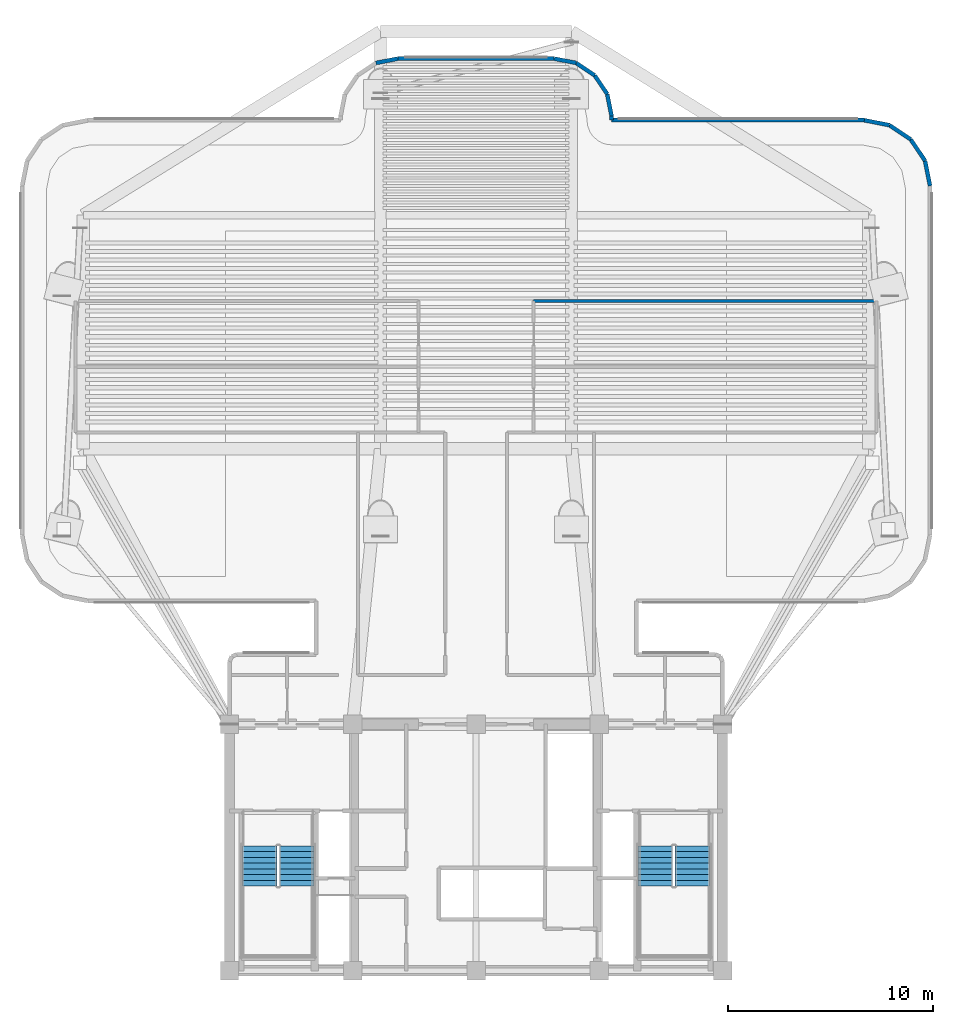
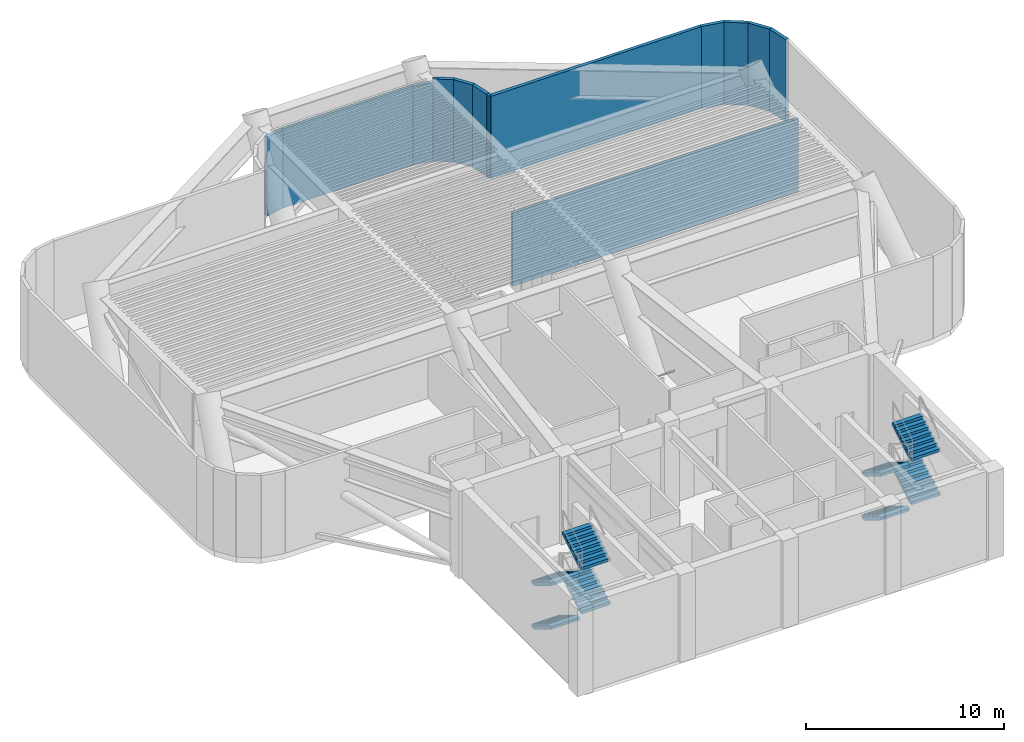
# One storey, part 6 of 10: 13 walls, 8 stair flights, 2 elements without a shape of their own.
"""IFC4 building model written with IfcOpenShell, lengths in metres."""

from ifc_helpers import new_model, si_unit, direction, frame, frame_2d, origin, place, context, subcontext, project, spatial, polyline, rectangle, outline, extrude, material, layer, layer_set, type_object, element, aggregate, save


model = new_model("IFC4")

# Units and contexts
model_context = context("Model", 3, precision=1e-05, world=origin(), true_north=direction((0.0, 1.0)))
body_context = subcontext(model_context, "Body", "Model", "MODEL_VIEW")
ifc_project = project(units=[si_unit("LENGTHUNIT", "METRE"), si_unit("AREAUNIT", "SQUARE_METRE"), si_unit("VOLUMEUNIT", "CUBIC_METRE"), si_unit("PLANEANGLEUNIT", "RADIAN"), si_unit("MASSUNIT", "GRAM", prefix="KILO")], contexts=[model_context])

# Site, building, storey
site_placement = place(None, origin())
site = spatial("IfcSite", under=ifc_project, at=site_placement, CompositionType="ELEMENT")
building_placement = place(site_placement, origin())
building = spatial("IfcBuilding", under=site, at=building_placement, Name="Brelvock Crest Care Tower", CompositionType="ELEMENT")
storey_placement = place(building_placement, frame((0.0, 0.0, 146.52001953125)))
storey = spatial("IfcBuildingStorey", under=building, at=storey_placement, Name="L37", CompositionType="ELEMENT", Elevation=146.52001953125)

# Walls
ifc_material_1 = material(Name="Precast concrete N40 (40 MPa)", Category="concrete")
ifc_layer_1 = layer(ifc_material_1, 0.195068359375, Name="WL-EX3")
ifc_layer_set_1 = layer_set([ifc_layer_1], Name="Precast concrete N40 (40 MPa)")
wall_type_1 = type_object("IfcWallType", Name="WL-EX3", PredefinedType="SOLIDWALL", material=ifc_layer_set_1)
wall_1_placement = place(storey_placement, frame((31.12841796875, 50.18701171875, 0.0), z_axis=(0.0, 0.0, 1.0), x_axis=(0.980829143587, 0.194869677195, 0.0)))
element("IfcWall", 1, at=wall_1_placement, inside=storey, type_object=wall_type_1, Name="L37 Crown and Plant Cladding Wall 27", PredefinedType="SOLIDWALL", context=body_context, shape_type="SweptSolid", body=[
    extrude(rectangle(XDim=1.092529296875, YDim=0.195068359375, at=frame_2d((0.54638671875, 0.0))), origin(), (0.0, 0.0, 1.0), 4.861083984375),
])
wall_2_placement = place(storey_placement, frame((32.199951171875, 50.39990234375, 0.0), z_axis=(0.0, 0.0, 1.0), x_axis=(1.0, 0.0, 0.0)))
element("IfcWall", 2, at=wall_2_placement, inside=storey, type_object=wall_type_1, Name="L37 Crown and Plant Cladding Wall 28", PredefinedType="SOLIDWALL", context=body_context, shape_type="SweptSolid", body=[
    extrude(rectangle(XDim=7.60009765625, YDim=0.195068359375, at=frame_2d((3.800048828125, 0.0))), origin(), (0.0, 0.0, 1.0), 4.861083984375),
])
wall_3_placement = place(storey_placement, frame((39.800048828125, 50.39990234375, 0.0), z_axis=(0.0, 0.0, 1.0), x_axis=(0.980829143587, -0.194869677195, 0.0)))
element("IfcWall", 3, at=wall_3_placement, inside=storey, type_object=wall_type_1, Name="L37 Crown and Plant Cladding Wall 29", PredefinedType="SOLIDWALL", context=body_context, shape_type="SweptSolid", body=[
    extrude(rectangle(XDim=1.092529296875, YDim=0.195068359375, at=frame_2d((0.54638671875, 0.0))), origin(), (0.0, 0.0, 1.0), 4.861083984375),
])
wall_4_placement = place(storey_placement, frame((40.87158203125, 50.18701171875, 0.0), z_axis=(0.0, 0.0, 1.0), x_axis=(0.831327592857, -0.555782721353, 0.0)))
element("IfcWall", 4, at=wall_4_placement, inside=storey, type_object=wall_type_1, Name="L37 Crown and Plant Cladding Wall 30", PredefinedType="SOLIDWALL", context=body_context, shape_type="SweptSolid", body=[
    extrude(rectangle(XDim=1.092529296875, YDim=0.195068359375, at=frame_2d((0.54638671875, 0.0))), origin(), (0.0, 0.0, 1.0), 5.080078125),
])
wall_5_placement = place(storey_placement, frame((41.77978515625, 49.579833984375, 0.0), z_axis=(0.0, 0.0, 1.0), x_axis=(0.555679482341, -0.831396603857, 0.0)))
element("IfcWall", 5, at=wall_5_placement, inside=storey, type_object=wall_type_1, Name="L37 Crown and Plant Cladding Wall 31", PredefinedType="SOLIDWALL", context=body_context, shape_type="SweptSolid", body=[
    extrude(rectangle(XDim=1.0927734375, YDim=0.195068359375, at=frame_2d((0.54638671875, 0.0))), origin(), (0.0, 0.0, 1.0), 5.080078125),
])
wall_6_placement = place(storey_placement, frame((42.386962890625, 48.67138671875, 0.0), z_axis=(0.0, 0.0, 1.0), x_axis=(0.195127417394, -0.980777900945, 0.0)))
element("IfcWall", 6, at=wall_6_placement, inside=storey, type_object=wall_type_1, Name="L37 Crown and Plant Cladding Wall 32", PredefinedType="SOLIDWALL", context=body_context, shape_type="SweptSolid", body=[
    extrude(rectangle(XDim=1.09228515625, YDim=0.195068359375, at=frame_2d((0.546142578125, 0.0))), origin(), (0.0, 0.0, 1.0), 5.080078125),
])
wall_7_placement = place(storey_placement, frame((42.60009765625, 47.60009765625, 0.0), z_axis=(0.0, 0.0, 1.0), x_axis=(0.0, -1.0, 0.0)))
element("IfcWall", 7, at=wall_7_placement, inside=storey, type_object=wall_type_1, Name="L37 Crown and Plant Cladding Wall 33", PredefinedType="SOLIDWALL", context=body_context, shape_type="SweptSolid", body=[
    extrude(rectangle(XDim=0.2001953125, YDim=0.195068359375, at=frame_2d((0.10009765625, 0.0))), origin(), (0.0, 0.0, 1.0), 5.080078125),
])
wall_8_placement = place(storey_placement, frame((42.60009765625, 47.39990234375, 0.0), z_axis=(0.0, 0.0, 1.0), x_axis=(1.0, 0.0, 0.0)))
element("IfcWall", 8, at=wall_8_placement, inside=storey, type_object=wall_type_1, Name="L37 Crown and Plant Cladding Wall 34", PredefinedType="SOLIDWALL", context=body_context, shape_type="SweptSolid", body=[
    extrude(rectangle(XDim=12.2998046875, YDim=0.195068359375, at=frame_2d((6.14990234375, 0.0))), origin(), (0.0, 0.0, 1.0), 5.080078125),
])
for number, where, z_axis, x_axis, name in (
    (9, (54.89990234375, 47.39990234375, 0.0), (0.0, 0.0, 1.0), (0.980813122964, -0.194950295773, 0.0), "L37 Crown and Plant Cladding Wall 35"),
    (10, (56.12451171875, 47.156494140625, 0.0), (0.0, 0.0, 1.0), (0.831387912822, -0.555692485475, 0.0), "L37 Crown and Plant Cladding Wall 36"),
    (11, (57.16259765625, 46.462646484375, 0.0), (0.0, 0.0, 1.0), (0.555692485475, -0.831387912822, 0.0), "L37 Crown and Plant Cladding Wall 37"),
    (12, (57.8564453125, 45.424560546875, 0.0), (0.0, 0.0, 1.0), (0.195138390419, -0.980775717779, 0.0), "L37 Crown and Plant Cladding Wall 38"),
):
    element("IfcWall", number, at=place(storey_placement, frame(where, z_axis=z_axis, x_axis=x_axis)), inside=storey, type_object=wall_type_1, Name=name, PredefinedType="SOLIDWALL", context=body_context, shape_type="SweptSolid", body=[
        extrude(rectangle(XDim=1.24853515625, YDim=0.195068359375, at=frame_2d((0.624267578125, 0.0))), origin(), (0.0, 0.0, 1.0), 5.080078125),
    ])
ifc_material_2 = material(Name="Masonry Blockwork Acoustic Partition", Category="masonry")
ifc_layer_2 = layer(ifc_material_2, 0.14990234375, Name="WL-INT1")
ifc_layer_set_2 = layer_set([ifc_layer_2], Name="Masonry Blockwork Acoustic Partition")
wall_type_2 = type_object("IfcWallType", Name="WL-INT1", PredefinedType="PARTITIONING", material=ifc_layer_set_2)
wall_9_placement = place(storey_placement, frame((38.800048828125, 38.60009765625, 0.0), z_axis=(0.0, 0.0, 1.0), x_axis=(1.0, 0.0, 0.0)))
element("IfcWall", 13, at=wall_9_placement, inside=storey, type_object=wall_type_2, Name="L37 Interior Wall WL-BX-L37-SWGE-N", PredefinedType="PARTITIONING", context=body_context, shape_type="SweptSolid", body=[
    extrude(rectangle(XDim=16.699951171875, YDim=0.14990234375, at=frame_2d((8.35009765625, 0.0))), origin(), (0.0, 0.0, 1.0), 4.531982421875),
])

# Stair, stair flights
ifc_material_3 = material(Name="Concrete N40 (40 MPa)", Category="concrete")
stair_type = type_object("IfcStairType", Name="ST-CORE1", PredefinedType="HALF_TURN_STAIR", material=ifc_material_3)
stair_1_placement = place(storey_placement, origin())
stair_1 = element("IfcStair", 14, at=stair_1_placement, inside=storey, type_object=stair_type, Name="L37 Fire-Isolated Core Stair ST-1", PredefinedType="HALF_TURN_STAIR")
stair_flight_type = type_object("IfcStairFlightType", Name="STF-1", PredefinedType="STRAIGHT", material=ifc_material_3)
stair_flight_1_placement = place(storey_placement, frame((25.469970703125, 12.080078125, 0.0), z_axis=(0.0, 0.0, 1.0), x_axis=(0.0, -1.0, 0.0)))
stair_flight_1 = element("IfcStairFlight", 15, at=stair_flight_1_placement, type_object=stair_flight_type, Name="ST-1 flight 1", NumberOfRisers=8, NumberOfTreads=7, PredefinedType="STRAIGHT", RiserHeight=0.16875, TreadLength=0.28, context=body_context, shape_type="SweptSolid", body=[
    extrude(outline(polyline([(-0.00390625, -0.014892578125), (-0.00390625, -0.008544921875), (-0.00390625, -0.001953125), (-0.00390625, 0.004638671875), (-0.00390625, 0.01123046875), (-0.00390625, 0.017822265625), (-0.00390625, 0.0244140625), (-0.00390625, 0.031005859375), (-0.00390625, 0.03759765625), (-0.00390625, 0.0439453125), (-0.00390625, 0.050537109375), (-0.00390625, 0.05712890625), (-0.00390625, 0.063720703125), (-0.00390625, 0.0703125), (-0.00390625, 0.076904296875), (-0.00390625, 0.08349609375), (-0.00390625, 0.090087890625), (-0.00390625, 0.0966796875), (-0.00390625, 0.10302734375), (-0.00390625, 0.109619140625), (-0.00390625, 0.1162109375), (-0.00390625, 0.122802734375), (-0.00390625, 0.12939453125), (-0.00390625, 0.135986328125), (-0.00390625, 0.142578125), (-0.00390625, 0.149169921875), (-0.00390625, 0.155517578125), (-0.00390625, 0.162109375), (-0.00390625, 0.168701171875), (0.0, 0.168701171875), (0.280029296875, 0.168701171875), (0.280029296875, 0.33740234375), (0.56005859375, 0.33740234375), (0.56005859375, 0.50634765625), (0.840087890625, 0.50634765625), (0.840087890625, 0.675048828125), (1.1201171875, 0.675048828125), (1.1201171875, 0.84375), (1.39990234375, 0.84375), (1.39990234375, 1.012451171875), (1.679931640625, 1.012451171875), (1.679931640625, 1.18115234375), (1.9599609375, 1.18115234375), (1.964111328125, 1.18115234375), (1.9638671875, 1.18017578125), (1.964111328125, 1.17919921875), (1.9638671875, 1.17822265625), (1.964111328125, 1.177001953125), (1.9638671875, 1.176025390625), (1.964111328125, 1.175048828125), (1.9638671875, 1.173828125), (1.964111328125, 1.1728515625), (1.9638671875, 1.171875), (1.964111328125, 1.1708984375), (1.9638671875, 1.169677734375), (1.964111328125, 1.168701171875), (1.9638671875, 1.167724609375), (1.964111328125, 1.166748046875), (1.9638671875, 1.16552734375), (1.964111328125, 1.16455078125), (1.9638671875, 1.16357421875), (1.964111328125, 1.162353515625), (1.9638671875, 1.161376953125), (1.964111328125, 1.160400390625), (1.9638671875, 1.159423828125), (1.964111328125, 1.158203125), (1.9638671875, 1.1572265625), (1.964111328125, 1.15625), (1.9638671875, 1.155029296875), (1.964111328125, 1.154052734375), (1.9638671875, 1.153076171875), (1.964111328125, 1.152099609375), (1.9599609375, 1.00634765625), (0.29052734375, 0.0), (0.0, 0.0), (0.0, -0.014892578125), (-0.00390625, -0.014892578125)])), frame((0.0, 0.83984375, 0.0), z_axis=(0.0, -1.0, 0.0), x_axis=(1.0, 0.0, 0.0)), (0.0, 0.0, 1.0), 1.679931640625),
])
stair_flight_2_placement = place(storey_placement, frame((27.27001953125, 10.1201171875, 1.35009765625), z_axis=(0.0, 0.0, 1.0), x_axis=(0.0, 1.0, 0.0)))
stair_flight_2 = element("IfcStairFlight", 16, at=stair_flight_2_placement, type_object=stair_flight_type, Name="ST-1 flight 2", NumberOfRisers=8, NumberOfTreads=7, PredefinedType="STRAIGHT", RiserHeight=0.16875, TreadLength=0.28, context=body_context, shape_type="SweptSolid", body=[
    extrude(outline(polyline([(-0.00390625, -0.014892578125), (-0.00390625, -0.008544921875), (-0.00390625, -0.001953125), (-0.00390625, 0.004638671875), (-0.00390625, 0.01123046875), (-0.00390625, 0.017822265625), (-0.00390625, 0.0244140625), (-0.00390625, 0.031005859375), (-0.00390625, 0.03759765625), (-0.00390625, 0.0439453125), (-0.00390625, 0.050537109375), (-0.00390625, 0.05712890625), (-0.00390625, 0.063720703125), (-0.00390625, 0.0703125), (-0.00390625, 0.076904296875), (-0.00390625, 0.08349609375), (-0.00390625, 0.090087890625), (-0.00390625, 0.0966796875), (-0.00390625, 0.10302734375), (-0.00390625, 0.109619140625), (-0.00390625, 0.1162109375), (-0.00390625, 0.122802734375), (-0.00390625, 0.12939453125), (-0.00390625, 0.135986328125), (-0.00390625, 0.142578125), (-0.00390625, 0.149169921875), (-0.00390625, 0.155517578125), (-0.00390625, 0.162109375), (-0.00390625, 0.168701171875), (0.0, 0.168701171875), (0.280029296875, 0.168701171875), (0.280029296875, 0.33740234375), (0.56005859375, 0.33740234375), (0.56005859375, 0.50634765625), (0.840087890625, 0.50634765625), (0.840087890625, 0.675048828125), (1.1201171875, 0.675048828125), (1.1201171875, 0.84375), (1.39990234375, 0.84375), (1.39990234375, 1.012451171875), (1.679931640625, 1.012451171875), (1.679931640625, 1.18115234375), (1.9599609375, 1.18115234375), (1.964111328125, 1.18115234375), (1.9638671875, 1.18017578125), (1.964111328125, 1.17919921875), (1.9638671875, 1.17822265625), (1.964111328125, 1.177001953125), (1.9638671875, 1.176025390625), (1.964111328125, 1.175048828125), (1.9638671875, 1.173828125), (1.964111328125, 1.1728515625), (1.9638671875, 1.171875), (1.964111328125, 1.1708984375), (1.9638671875, 1.169677734375), (1.964111328125, 1.168701171875), (1.9638671875, 1.167724609375), (1.964111328125, 1.166748046875), (1.9638671875, 1.16552734375), (1.964111328125, 1.16455078125), (1.9638671875, 1.16357421875), (1.964111328125, 1.162353515625), (1.9638671875, 1.161376953125), (1.964111328125, 1.160400390625), (1.9638671875, 1.159423828125), (1.964111328125, 1.158203125), (1.9638671875, 1.1572265625), (1.964111328125, 1.15625), (1.9638671875, 1.155029296875), (1.964111328125, 1.154052734375), (1.9638671875, 1.153076171875), (1.964111328125, 1.152099609375), (1.9599609375, 1.00634765625), (0.29052734375, 0.0), (0.0, 0.0), (0.0, -0.014892578125), (-0.00390625, -0.014892578125)])), frame((0.0, 0.83984375, 0.0), z_axis=(0.0, -1.0, 0.0), x_axis=(1.0, 0.0, 0.0)), (0.0, 0.0, 1.0), 1.679931640625),
])
stair_flight_3_placement = place(storey_placement, frame((25.469970703125, 12.080078125, 2.699951171875), z_axis=(0.0, 0.0, 1.0), x_axis=(0.0, -1.0, 0.0)))
stair_flight_3 = element("IfcStairFlight", 17, at=stair_flight_3_placement, type_object=stair_flight_type, Name="ST-1 flight 3", NumberOfRisers=8, NumberOfTreads=7, PredefinedType="STRAIGHT", RiserHeight=0.16875, TreadLength=0.28, context=body_context, shape_type="SweptSolid", body=[
    extrude(outline(polyline([(-0.00390625, -0.014892578125), (-0.00390625, -0.008544921875), (-0.00390625, -0.001953125), (-0.00390625, 0.004638671875), (-0.00390625, 0.01123046875), (-0.00390625, 0.017822265625), (-0.00390625, 0.0244140625), (-0.00390625, 0.031005859375), (-0.00390625, 0.03759765625), (-0.00390625, 0.0439453125), (-0.00390625, 0.050537109375), (-0.00390625, 0.05712890625), (-0.00390625, 0.063720703125), (-0.00390625, 0.0703125), (-0.00390625, 0.076904296875), (-0.00390625, 0.08349609375), (-0.00390625, 0.090087890625), (-0.00390625, 0.0966796875), (-0.00390625, 0.10302734375), (-0.00390625, 0.109619140625), (-0.00390625, 0.1162109375), (-0.00390625, 0.122802734375), (-0.00390625, 0.12939453125), (-0.00390625, 0.135986328125), (-0.00390625, 0.142578125), (-0.00390625, 0.149169921875), (-0.00390625, 0.155517578125), (-0.00390625, 0.162109375), (-0.00390625, 0.168701171875), (0.0, 0.168701171875), (0.280029296875, 0.168701171875), (0.280029296875, 0.33740234375), (0.56005859375, 0.33740234375), (0.56005859375, 0.50634765625), (0.840087890625, 0.50634765625), (0.840087890625, 0.675048828125), (1.1201171875, 0.675048828125), (1.1201171875, 0.84375), (1.39990234375, 0.84375), (1.39990234375, 1.012451171875), (1.679931640625, 1.012451171875), (1.679931640625, 1.18115234375), (1.9599609375, 1.18115234375), (1.964111328125, 1.18115234375), (1.9638671875, 1.18017578125), (1.964111328125, 1.17919921875), (1.9638671875, 1.17822265625), (1.964111328125, 1.177001953125), (1.9638671875, 1.176025390625), (1.964111328125, 1.175048828125), (1.9638671875, 1.173828125), (1.964111328125, 1.1728515625), (1.9638671875, 1.171875), (1.964111328125, 1.1708984375), (1.9638671875, 1.169677734375), (1.964111328125, 1.168701171875), (1.9638671875, 1.167724609375), (1.964111328125, 1.166748046875), (1.9638671875, 1.16552734375), (1.964111328125, 1.16455078125), (1.9638671875, 1.16357421875), (1.964111328125, 1.162353515625), (1.9638671875, 1.161376953125), (1.964111328125, 1.160400390625), (1.9638671875, 1.159423828125), (1.964111328125, 1.158203125), (1.9638671875, 1.1572265625), (1.964111328125, 1.15625), (1.9638671875, 1.155029296875), (1.964111328125, 1.154052734375), (1.9638671875, 1.153076171875), (1.964111328125, 1.152099609375), (1.9599609375, 1.00634765625), (0.29052734375, 0.0), (0.0, 0.0), (0.0, -0.014892578125), (-0.00390625, -0.014892578125)])), frame((0.0, 0.83984375, 0.0), z_axis=(0.0, -1.0, 0.0), x_axis=(1.0, 0.0, 0.0)), (0.0, 0.0, 1.0), 1.679931640625),
])
stair_flight_4_placement = place(storey_placement, frame((27.27001953125, 10.1201171875, 4.050048828125), z_axis=(0.0, 0.0, 1.0), x_axis=(0.0, 1.0, 0.0)))
stair_flight_4 = element("IfcStairFlight", 18, at=stair_flight_4_placement, type_object=stair_flight_type, Name="ST-1 flight 4", NumberOfRisers=8, NumberOfTreads=7, PredefinedType="STRAIGHT", RiserHeight=0.16875, TreadLength=0.28, context=body_context, shape_type="SweptSolid", body=[
    extrude(outline(polyline([(-0.00390625, -0.014892578125), (-0.00390625, -0.008544921875), (-0.00390625, -0.001953125), (-0.00390625, 0.004638671875), (-0.00390625, 0.01123046875), (-0.00390625, 0.017822265625), (-0.00390625, 0.0244140625), (-0.00390625, 0.031005859375), (-0.00390625, 0.03759765625), (-0.00390625, 0.0439453125), (-0.00390625, 0.050537109375), (-0.00390625, 0.05712890625), (-0.00390625, 0.063720703125), (-0.00390625, 0.0703125), (-0.00390625, 0.076904296875), (-0.00390625, 0.08349609375), (-0.00390625, 0.090087890625), (-0.00390625, 0.0966796875), (-0.00390625, 0.10302734375), (-0.00390625, 0.109619140625), (-0.00390625, 0.1162109375), (-0.00390625, 0.122802734375), (-0.00390625, 0.12939453125), (-0.00390625, 0.135986328125), (-0.00390625, 0.142578125), (-0.00390625, 0.149169921875), (-0.00390625, 0.155517578125), (-0.00390625, 0.162109375), (-0.00390625, 0.168701171875), (0.0, 0.168701171875), (0.280029296875, 0.168701171875), (0.280029296875, 0.33740234375), (0.56005859375, 0.33740234375), (0.56005859375, 0.50634765625), (0.840087890625, 0.50634765625), (0.840087890625, 0.675048828125), (1.1201171875, 0.675048828125), (1.1201171875, 0.84375), (1.39990234375, 0.84375), (1.39990234375, 1.012451171875), (1.679931640625, 1.012451171875), (1.679931640625, 1.18115234375), (1.9599609375, 1.18115234375), (1.964111328125, 1.18115234375), (1.9638671875, 1.18017578125), (1.964111328125, 1.17919921875), (1.9638671875, 1.17822265625), (1.964111328125, 1.177001953125), (1.9638671875, 1.176025390625), (1.964111328125, 1.175048828125), (1.9638671875, 1.173828125), (1.964111328125, 1.1728515625), (1.9638671875, 1.171875), (1.964111328125, 1.1708984375), (1.9638671875, 1.169677734375), (1.964111328125, 1.168701171875), (1.9638671875, 1.167724609375), (1.964111328125, 1.166748046875), (1.9638671875, 1.16552734375), (1.964111328125, 1.16455078125), (1.9638671875, 1.16357421875), (1.964111328125, 1.162353515625), (1.9638671875, 1.161376953125), (1.964111328125, 1.160400390625), (1.9638671875, 1.159423828125), (1.964111328125, 1.158203125), (1.9638671875, 1.1572265625), (1.964111328125, 1.15625), (1.9638671875, 1.155029296875), (1.964111328125, 1.154052734375), (1.9638671875, 1.153076171875), (1.964111328125, 1.152099609375), (1.9599609375, 1.00634765625), (0.29052734375, 0.0), (0.0, 0.0), (0.0, -0.014892578125), (-0.00390625, -0.014892578125)])), frame((0.0, 0.83984375, 0.0), z_axis=(0.0, -1.0, 0.0), x_axis=(1.0, 0.0, 0.0)), (0.0, 0.0, 1.0), 1.679931640625),
])
aggregate(stair_1, [stair_flight_1, stair_flight_2, stair_flight_3, stair_flight_4])

stair_2_placement = place(storey_placement, origin())
stair_2 = element("IfcStair", 19, at=stair_2_placement, inside=storey, type_object=stair_type, Name="L37 Fire-Isolated Core Stair ST-2", PredefinedType="HALF_TURN_STAIR")
stair_flight_5_placement = place(storey_placement, frame((44.72998046875, 12.080078125, 0.0), z_axis=(0.0, 0.0, 1.0), x_axis=(0.0, -1.0, 0.0)))
stair_flight_5 = element("IfcStairFlight", 20, at=stair_flight_5_placement, type_object=stair_flight_type, Name="ST-2 flight 1", NumberOfRisers=8, NumberOfTreads=7, PredefinedType="STRAIGHT", RiserHeight=0.16875, TreadLength=0.28, context=body_context, shape_type="SweptSolid", body=[
    extrude(outline(polyline([(-0.00390625, -0.014892578125), (-0.00390625, -0.008544921875), (-0.00390625, -0.001953125), (-0.00390625, 0.004638671875), (-0.00390625, 0.01123046875), (-0.00390625, 0.017822265625), (-0.00390625, 0.0244140625), (-0.00390625, 0.031005859375), (-0.00390625, 0.03759765625), (-0.00390625, 0.0439453125), (-0.00390625, 0.050537109375), (-0.00390625, 0.05712890625), (-0.00390625, 0.063720703125), (-0.00390625, 0.0703125), (-0.00390625, 0.076904296875), (-0.00390625, 0.08349609375), (-0.00390625, 0.090087890625), (-0.00390625, 0.0966796875), (-0.00390625, 0.10302734375), (-0.00390625, 0.109619140625), (-0.00390625, 0.1162109375), (-0.00390625, 0.122802734375), (-0.00390625, 0.12939453125), (-0.00390625, 0.135986328125), (-0.00390625, 0.142578125), (-0.00390625, 0.149169921875), (-0.00390625, 0.155517578125), (-0.00390625, 0.162109375), (-0.00390625, 0.168701171875), (0.0, 0.168701171875), (0.280029296875, 0.168701171875), (0.280029296875, 0.33740234375), (0.56005859375, 0.33740234375), (0.56005859375, 0.50634765625), (0.840087890625, 0.50634765625), (0.840087890625, 0.675048828125), (1.1201171875, 0.675048828125), (1.1201171875, 0.84375), (1.39990234375, 0.84375), (1.39990234375, 1.012451171875), (1.679931640625, 1.012451171875), (1.679931640625, 1.18115234375), (1.9599609375, 1.18115234375), (1.964111328125, 1.18115234375), (1.9638671875, 1.18017578125), (1.964111328125, 1.17919921875), (1.9638671875, 1.17822265625), (1.964111328125, 1.177001953125), (1.9638671875, 1.176025390625), (1.964111328125, 1.175048828125), (1.9638671875, 1.173828125), (1.964111328125, 1.1728515625), (1.9638671875, 1.171875), (1.964111328125, 1.1708984375), (1.9638671875, 1.169677734375), (1.964111328125, 1.168701171875), (1.9638671875, 1.167724609375), (1.964111328125, 1.166748046875), (1.9638671875, 1.16552734375), (1.964111328125, 1.16455078125), (1.9638671875, 1.16357421875), (1.964111328125, 1.162353515625), (1.9638671875, 1.161376953125), (1.964111328125, 1.160400390625), (1.9638671875, 1.159423828125), (1.964111328125, 1.158203125), (1.9638671875, 1.1572265625), (1.964111328125, 1.15625), (1.9638671875, 1.155029296875), (1.964111328125, 1.154052734375), (1.9638671875, 1.153076171875), (1.964111328125, 1.152099609375), (1.9599609375, 1.00634765625), (0.29052734375, 0.0), (0.0, 0.0), (0.0, -0.014892578125), (-0.00390625, -0.014892578125)])), frame((0.0, 0.83984375, 0.0), z_axis=(0.0, -1.0, 0.0), x_axis=(1.0, 0.0, 0.0)), (0.0, 0.0, 1.0), 1.679931640625),
])
stair_flight_6_placement = place(storey_placement, frame((46.530029296875, 10.1201171875, 1.35009765625), z_axis=(0.0, 0.0, 1.0), x_axis=(0.0, 1.0, 0.0)))
stair_flight_6 = element("IfcStairFlight", 21, at=stair_flight_6_placement, type_object=stair_flight_type, Name="ST-2 flight 2", NumberOfRisers=8, NumberOfTreads=7, PredefinedType="STRAIGHT", RiserHeight=0.16875, TreadLength=0.28, context=body_context, shape_type="SweptSolid", body=[
    extrude(outline(polyline([(-0.00390625, -0.014892578125), (-0.00390625, -0.008544921875), (-0.00390625, -0.001953125), (-0.00390625, 0.004638671875), (-0.00390625, 0.01123046875), (-0.00390625, 0.017822265625), (-0.00390625, 0.0244140625), (-0.00390625, 0.031005859375), (-0.00390625, 0.03759765625), (-0.00390625, 0.0439453125), (-0.00390625, 0.050537109375), (-0.00390625, 0.05712890625), (-0.00390625, 0.063720703125), (-0.00390625, 0.0703125), (-0.00390625, 0.076904296875), (-0.00390625, 0.08349609375), (-0.00390625, 0.090087890625), (-0.00390625, 0.0966796875), (-0.00390625, 0.10302734375), (-0.00390625, 0.109619140625), (-0.00390625, 0.1162109375), (-0.00390625, 0.122802734375), (-0.00390625, 0.12939453125), (-0.00390625, 0.135986328125), (-0.00390625, 0.142578125), (-0.00390625, 0.149169921875), (-0.00390625, 0.155517578125), (-0.00390625, 0.162109375), (-0.00390625, 0.168701171875), (0.0, 0.168701171875), (0.280029296875, 0.168701171875), (0.280029296875, 0.33740234375), (0.56005859375, 0.33740234375), (0.56005859375, 0.50634765625), (0.840087890625, 0.50634765625), (0.840087890625, 0.675048828125), (1.1201171875, 0.675048828125), (1.1201171875, 0.84375), (1.39990234375, 0.84375), (1.39990234375, 1.012451171875), (1.679931640625, 1.012451171875), (1.679931640625, 1.18115234375), (1.9599609375, 1.18115234375), (1.964111328125, 1.18115234375), (1.9638671875, 1.18017578125), (1.964111328125, 1.17919921875), (1.9638671875, 1.17822265625), (1.964111328125, 1.177001953125), (1.9638671875, 1.176025390625), (1.964111328125, 1.175048828125), (1.9638671875, 1.173828125), (1.964111328125, 1.1728515625), (1.9638671875, 1.171875), (1.964111328125, 1.1708984375), (1.9638671875, 1.169677734375), (1.964111328125, 1.168701171875), (1.9638671875, 1.167724609375), (1.964111328125, 1.166748046875), (1.9638671875, 1.16552734375), (1.964111328125, 1.16455078125), (1.9638671875, 1.16357421875), (1.964111328125, 1.162353515625), (1.9638671875, 1.161376953125), (1.964111328125, 1.160400390625), (1.9638671875, 1.159423828125), (1.964111328125, 1.158203125), (1.9638671875, 1.1572265625), (1.964111328125, 1.15625), (1.9638671875, 1.155029296875), (1.964111328125, 1.154052734375), (1.9638671875, 1.153076171875), (1.964111328125, 1.152099609375), (1.9599609375, 1.00634765625), (0.29052734375, 0.0), (0.0, 0.0), (0.0, -0.014892578125), (-0.00390625, -0.014892578125)])), frame((0.0, 0.83984375, 0.0), z_axis=(0.0, -1.0, 0.0), x_axis=(1.0, 0.0, 0.0)), (0.0, 0.0, 1.0), 1.679931640625),
])
stair_flight_7_placement = place(storey_placement, frame((44.72998046875, 12.080078125, 2.699951171875), z_axis=(0.0, 0.0, 1.0), x_axis=(0.0, -1.0, 0.0)))
stair_flight_7 = element("IfcStairFlight", 22, at=stair_flight_7_placement, type_object=stair_flight_type, Name="ST-2 flight 3", NumberOfRisers=8, NumberOfTreads=7, PredefinedType="STRAIGHT", RiserHeight=0.16875, TreadLength=0.28, context=body_context, shape_type="SweptSolid", body=[
    extrude(outline(polyline([(-0.00390625, -0.014892578125), (-0.00390625, -0.008544921875), (-0.00390625, -0.001953125), (-0.00390625, 0.004638671875), (-0.00390625, 0.01123046875), (-0.00390625, 0.017822265625), (-0.00390625, 0.0244140625), (-0.00390625, 0.031005859375), (-0.00390625, 0.03759765625), (-0.00390625, 0.0439453125), (-0.00390625, 0.050537109375), (-0.00390625, 0.05712890625), (-0.00390625, 0.063720703125), (-0.00390625, 0.0703125), (-0.00390625, 0.076904296875), (-0.00390625, 0.08349609375), (-0.00390625, 0.090087890625), (-0.00390625, 0.0966796875), (-0.00390625, 0.10302734375), (-0.00390625, 0.109619140625), (-0.00390625, 0.1162109375), (-0.00390625, 0.122802734375), (-0.00390625, 0.12939453125), (-0.00390625, 0.135986328125), (-0.00390625, 0.142578125), (-0.00390625, 0.149169921875), (-0.00390625, 0.155517578125), (-0.00390625, 0.162109375), (-0.00390625, 0.168701171875), (0.0, 0.168701171875), (0.280029296875, 0.168701171875), (0.280029296875, 0.33740234375), (0.56005859375, 0.33740234375), (0.56005859375, 0.50634765625), (0.840087890625, 0.50634765625), (0.840087890625, 0.675048828125), (1.1201171875, 0.675048828125), (1.1201171875, 0.84375), (1.39990234375, 0.84375), (1.39990234375, 1.012451171875), (1.679931640625, 1.012451171875), (1.679931640625, 1.18115234375), (1.9599609375, 1.18115234375), (1.964111328125, 1.18115234375), (1.9638671875, 1.18017578125), (1.964111328125, 1.17919921875), (1.9638671875, 1.17822265625), (1.964111328125, 1.177001953125), (1.9638671875, 1.176025390625), (1.964111328125, 1.175048828125), (1.9638671875, 1.173828125), (1.964111328125, 1.1728515625), (1.9638671875, 1.171875), (1.964111328125, 1.1708984375), (1.9638671875, 1.169677734375), (1.964111328125, 1.168701171875), (1.9638671875, 1.167724609375), (1.964111328125, 1.166748046875), (1.9638671875, 1.16552734375), (1.964111328125, 1.16455078125), (1.9638671875, 1.16357421875), (1.964111328125, 1.162353515625), (1.9638671875, 1.161376953125), (1.964111328125, 1.160400390625), (1.9638671875, 1.159423828125), (1.964111328125, 1.158203125), (1.9638671875, 1.1572265625), (1.964111328125, 1.15625), (1.9638671875, 1.155029296875), (1.964111328125, 1.154052734375), (1.9638671875, 1.153076171875), (1.964111328125, 1.152099609375), (1.9599609375, 1.00634765625), (0.29052734375, 0.0), (0.0, 0.0), (0.0, -0.014892578125), (-0.00390625, -0.014892578125)])), frame((0.0, 0.83984375, 0.0), z_axis=(0.0, -1.0, 0.0), x_axis=(1.0, 0.0, 0.0)), (0.0, 0.0, 1.0), 1.679931640625),
])
stair_flight_8_placement = place(storey_placement, frame((46.530029296875, 10.1201171875, 4.050048828125), z_axis=(0.0, 0.0, 1.0), x_axis=(0.0, 1.0, 0.0)))
stair_flight_8 = element("IfcStairFlight", 23, at=stair_flight_8_placement, type_object=stair_flight_type, Name="ST-2 flight 4", NumberOfRisers=8, NumberOfTreads=7, PredefinedType="STRAIGHT", RiserHeight=0.16875, TreadLength=0.28, context=body_context, shape_type="SweptSolid", body=[
    extrude(outline(polyline([(-0.00390625, -0.014892578125), (-0.00390625, -0.008544921875), (-0.00390625, -0.001953125), (-0.00390625, 0.004638671875), (-0.00390625, 0.01123046875), (-0.00390625, 0.017822265625), (-0.00390625, 0.0244140625), (-0.00390625, 0.031005859375), (-0.00390625, 0.03759765625), (-0.00390625, 0.0439453125), (-0.00390625, 0.050537109375), (-0.00390625, 0.05712890625), (-0.00390625, 0.063720703125), (-0.00390625, 0.0703125), (-0.00390625, 0.076904296875), (-0.00390625, 0.08349609375), (-0.00390625, 0.090087890625), (-0.00390625, 0.0966796875), (-0.00390625, 0.10302734375), (-0.00390625, 0.109619140625), (-0.00390625, 0.1162109375), (-0.00390625, 0.122802734375), (-0.00390625, 0.12939453125), (-0.00390625, 0.135986328125), (-0.00390625, 0.142578125), (-0.00390625, 0.149169921875), (-0.00390625, 0.155517578125), (-0.00390625, 0.162109375), (-0.00390625, 0.168701171875), (0.0, 0.168701171875), (0.280029296875, 0.168701171875), (0.280029296875, 0.33740234375), (0.56005859375, 0.33740234375), (0.56005859375, 0.50634765625), (0.840087890625, 0.50634765625), (0.840087890625, 0.675048828125), (1.1201171875, 0.675048828125), (1.1201171875, 0.84375), (1.39990234375, 0.84375), (1.39990234375, 1.012451171875), (1.679931640625, 1.012451171875), (1.679931640625, 1.18115234375), (1.9599609375, 1.18115234375), (1.964111328125, 1.18115234375), (1.9638671875, 1.18017578125), (1.964111328125, 1.17919921875), (1.9638671875, 1.17822265625), (1.964111328125, 1.177001953125), (1.9638671875, 1.176025390625), (1.964111328125, 1.175048828125), (1.9638671875, 1.173828125), (1.964111328125, 1.1728515625), (1.9638671875, 1.171875), (1.964111328125, 1.1708984375), (1.9638671875, 1.169677734375), (1.964111328125, 1.168701171875), (1.9638671875, 1.167724609375), (1.964111328125, 1.166748046875), (1.9638671875, 1.16552734375), (1.964111328125, 1.16455078125), (1.9638671875, 1.16357421875), (1.964111328125, 1.162353515625), (1.9638671875, 1.161376953125), (1.964111328125, 1.160400390625), (1.9638671875, 1.159423828125), (1.964111328125, 1.158203125), (1.9638671875, 1.1572265625), (1.964111328125, 1.15625), (1.9638671875, 1.155029296875), (1.964111328125, 1.154052734375), (1.9638671875, 1.153076171875), (1.964111328125, 1.152099609375), (1.9599609375, 1.00634765625), (0.29052734375, 0.0), (0.0, 0.0), (0.0, -0.014892578125), (-0.00390625, -0.014892578125)])), frame((0.0, 0.83984375, 0.0), z_axis=(0.0, -1.0, 0.0), x_axis=(1.0, 0.0, 0.0)), (0.0, 0.0, 1.0), 1.679931640625),
])
aggregate(stair_2, [stair_flight_5, stair_flight_6, stair_flight_7, stair_flight_8])

save(model, "model.ifc")
